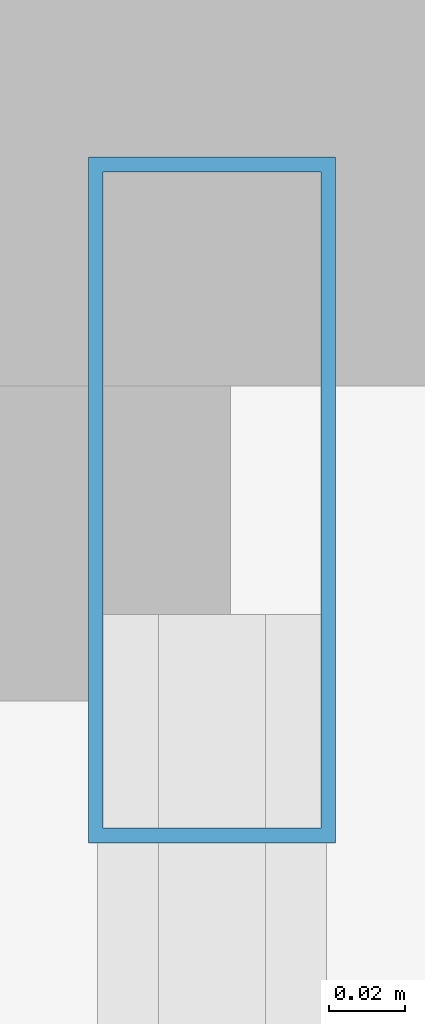
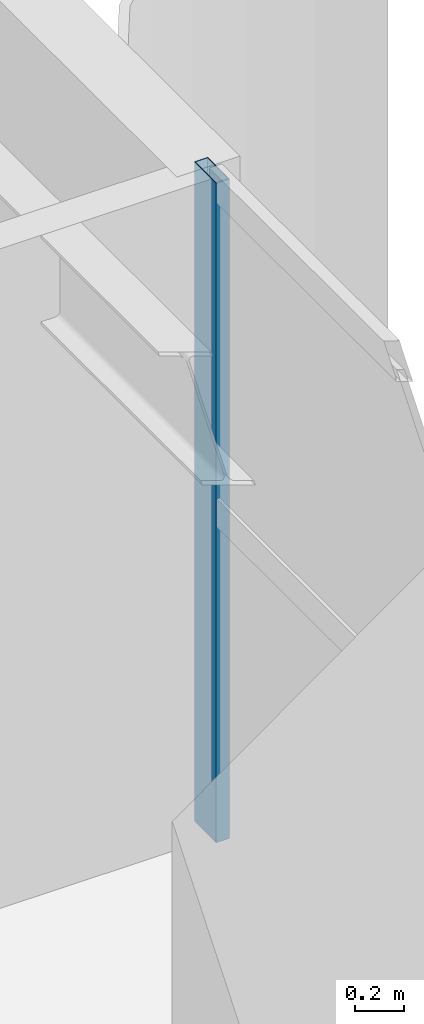
# One storey, part 16 of 25: 1 member, 1 element without a shape of its own.
"""IFC4 building model written with IfcOpenShell, lengths in metres."""

import ifcopenshell
import ifcopenshell.guid

model = None  # the IFC model being written
_history = None  # IfcOwnerHistory: only IFC2X3 demands one
_inside = {}  # id of a spatial element -> (the spatial element, [elements in it])
_under = {}  # id of a project, library or spatial element -> (it, [spatial elements below it])
_declared = {}  # id of a project -> (the project, [libraries it declares])
_typed = {}  # id of a type object -> (the type object, [elements of that type])
_made_of = {}  # id of a material, layer set ... -> (it, [elements and type objects made of it])


def new_model(schema):
    """Start an empty IFC model of exactly this schema.

    Asked for "IFC4X3", IfcOpenShell would pick the latest addendum, in which some entities
    have other attributes; the version numbers below select the first issue.
    IFC2X3 requires an IfcOwnerHistory on every rooted entity: one is made here for all.
    """
    global model, _history
    if schema == "IFC4X3":
        model = ifcopenshell.file(schema_version=(4, 3, 0, 0))
    else:
        model = ifcopenshell.file(schema=schema)
    _inside.clear()
    _under.clear()
    _declared.clear()
    _typed.clear()
    _made_of.clear()
    _history = None
    if model.schema == "IFC2X3":
        org = make("IfcOrganization", Name="unknown")
        user = make(
            "IfcPersonAndOrganization",
            ThePerson=make("IfcPerson", FamilyName="unknown"),
            TheOrganization=org,
        )
        app = make(
            "IfcApplication",
            ApplicationDeveloper=org,
            Version="unknown",
            ApplicationFullName="unknown",
            ApplicationIdentifier="unknown",
        )
        _history = make(
            "IfcOwnerHistory",
            OwningUser=user,
            OwningApplication=app,
            ChangeAction="ADDED",
            CreationDate=0,
        )
    return model


def make(cls, **values):
    """One entity of the class cls with the attributes given. An attribute that is None is left unset."""
    return model.create_entity(
        cls, **{name: value for name, value in values.items() if value is not None}
    )


def rooted(cls, **values):
    """An entity with a GlobalId (a new one), such as an element, a storey or a relation."""
    return make(cls, GlobalId=ifcopenshell.guid.new(), OwnerHistory=_history, **values)


def si_unit(unit_type, name, prefix=None):
    """IfcSIUnit, for example si_unit("LENGTHUNIT", "METRE", prefix="MILLI")."""
    return make("IfcSIUnit", UnitType=unit_type, Prefix=prefix, Name=name)


def assignment(units):
    """IfcUnitAssignment: the units of a project."""
    return None if units is None else make("IfcUnitAssignment", Units=units)


def point(xyz):
    """IfcCartesianPoint."""
    return None if xyz is None else make("IfcCartesianPoint", Coordinates=xyz)


def direction(xyz):
    """IfcDirection."""
    return None if xyz is None else make("IfcDirection", DirectionRatios=xyz)


def frame(location, z_axis=None, x_axis=None):
    """IfcAxis2Placement3D, a coordinate frame: its origin and axes. An axis left out is left unset."""
    return make(
        "IfcAxis2Placement3D",
        Location=point(location),
        Axis=direction(z_axis),
        RefDirection=direction(x_axis),
    )


def frame_2d(location, x_axis=None):
    """IfcAxis2Placement2D, a coordinate frame in the plane: its origin and x axis."""
    return make(
        "IfcAxis2Placement2D", Location=point(location), RefDirection=direction(x_axis)
    )


def origin():
    """The frame at (0, 0, 0) with its axes left unset."""
    return frame((0.0, 0.0, 0.0))


def origin_2d():
    """The frame at (0, 0) in the plane with its x axis left unset."""
    return frame_2d((0.0, 0.0))


def place(relative_to, where):
    """IfcLocalPlacement: puts the frame where relative to a parent placement (None: the world)."""
    return make(
        "IfcLocalPlacement", PlacementRelTo=relative_to, RelativePlacement=where
    )


def context(
    kind, dimensions, precision=None, world=None, true_north=None, identifier=None
):
    """IfcGeometricRepresentationContext, for example the 3D "Model" context."""
    return make(
        "IfcGeometricRepresentationContext",
        ContextIdentifier=identifier,
        ContextType=kind,
        CoordinateSpaceDimension=dimensions,
        Precision=precision,
        WorldCoordinateSystem=world,
        TrueNorth=true_north,
    )


def subcontext(parent, identifier, kind, view, scale=None):
    """IfcGeometricRepresentationSubContext, for example "Body" below "Model"."""
    return make(
        "IfcGeometricRepresentationSubContext",
        ContextIdentifier=identifier,
        ContextType=kind,
        ParentContext=parent,
        TargetScale=scale,
        TargetView=view,
    )


def project(units=None, contexts=None):
    """IfcProject with its units and contexts."""
    return rooted(
        "IfcProject",
        Name="project",
        RepresentationContexts=contexts,
        UnitsInContext=assignment(units),
    )


def spatial(cls, under=None, at=None, **own):
    """A site, building, storey or space (cls), placed at a placement, below another one or the project."""
    s = rooted(cls, ObjectPlacement=at, **own)
    if under is not None:
        _under.setdefault(under.id(), (under, []))[1].append(s)
    return s


def profile(cls, at=None, kind="AREA", **sizes):
    """A parametric profile (cls). Its sizes go by their IFC names, for example OverallWidth=200.0."""
    return make(cls, ProfileType=kind, Position=at, **sizes)


def hollow_rectangle(**sizes):
    """IfcRectangleHollowProfileDef."""
    return profile("IfcRectangleHollowProfileDef", **sizes)


def extrude(swept, where, along, depth):
    """IfcExtrudedAreaSolid: the profile swept, set in the frame where, extruded along a direction by depth."""
    return make(
        "IfcExtrudedAreaSolid",
        SweptArea=swept,
        Position=where,
        ExtrudedDirection=direction(along),
        Depth=depth,
    )


def shape(context_of_items, identifier, shape_type, items):
    """IfcShapeRepresentation: the items that make up one representation, for example the "Body"."""
    return make(
        "IfcShapeRepresentation",
        ContextOfItems=context_of_items,
        RepresentationIdentifier=identifier,
        RepresentationType=shape_type,
        Items=items,
    )


def source(mapping_origin, context_of_items, identifier, shape_type, items):
    """IfcRepresentationMap: a shape defined once, which mapped items show again and again."""
    return make(
        "IfcRepresentationMap",
        MappingOrigin=mapping_origin,
        MappedRepresentation=shape(context_of_items, identifier, shape_type, items),
    )


def transform(
    local_origin,
    x_axis=None,
    y_axis=None,
    z_axis=None,
    scale=None,
    scale2=None,
    scale3=None,
    uniform=True,
):
    """IfcCartesianTransformationOperator3D, or its non-uniform kind. x_axis, y_axis, z_axis: its Axis1, 2, 3."""
    if uniform:
        return make(
            "IfcCartesianTransformationOperator3D",
            Axis1=direction(x_axis),
            Axis2=direction(y_axis),
            LocalOrigin=point(local_origin),
            Scale=scale,
            Axis3=direction(z_axis),
        )
    return make(
        "IfcCartesianTransformationOperator3DnonUniform",
        Axis1=direction(x_axis),
        Axis2=direction(y_axis),
        LocalOrigin=point(local_origin),
        Scale=scale,
        Axis3=direction(z_axis),
        Scale2=scale2,
        Scale3=scale3,
    )


def mapped(mapping_source, mapping_target):
    """IfcMappedItem: shows the shape of a source again, moved by a transform."""
    return make(
        "IfcMappedItem", MappingSource=mapping_source, MappingTarget=mapping_target
    )


def material(Name=None, Category=None):
    """IfcMaterial."""
    return make("IfcMaterial", Name=Name, Category=Category)


def layer(
    of_material, thickness, ventilated=None, Name=None, Category=None, Priority=None
):
    """IfcMaterialLayer: one layer of a wall or slab, of a material (None: an air gap)."""
    return make(
        "IfcMaterialLayer",
        Material=of_material,
        LayerThickness=thickness,
        IsVentilated=ventilated,
        Name=Name,
        Category=Category,
        Priority=Priority,
    )


def layer_set(layers, Name=None):
    """IfcMaterialLayerSet."""
    return make("IfcMaterialLayerSet", MaterialLayers=layers, LayerSetName=Name)


def material_profile(
    of_material, cross_section, Name=None, Category=None, Priority=None
):
    """IfcMaterialProfile: a cross section and its material."""
    return make(
        "IfcMaterialProfile",
        Name=Name,
        Material=of_material,
        Profile=cross_section,
        Priority=Priority,
        Category=Category,
    )


def profile_set(profiles, Name=None, composite=None):
    """IfcMaterialProfileSet."""
    return make(
        "IfcMaterialProfileSet",
        Name=Name,
        MaterialProfiles=profiles,
        CompositeProfile=composite,
    )


def made_of(thing, what):
    """Note that an element or type object is made of a material, layer set ...; save() writes the relation."""
    if what is not None:
        _made_of.setdefault(what.id(), (what, []))[1].append(thing)
    return thing


def type_object(cls, material=None, **own):
    """A type object (cls), such as IfcWallType, which elements share."""
    return made_of(rooted(cls, **own), material)


def element(
    cls,
    number,
    at=None,
    inside=None,
    cuts=None,
    type_object=None,
    material=None,
    context=None,
    identifier="Body",
    shape_type=None,
    held_by="IfcProductDefinitionShape",
    body=None,
    shapes=None,
    **own,
):
    """One element of the class cls, such as IfcWall. Its Tag is "e" and its number.

    at: its placement. inside: the storey or other place that contains it. cuts: it is an
    opening in that element (IfcRelVoidsElement). A single representation is given by context,
    identifier, shape_type and body (its items); several are given by shapes. held_by: the class
    of the entity that holds the representations. save() writes the other relations.
    """
    e = rooted(cls, Tag="e%d" % number, ObjectPlacement=at, **own)
    if body is not None:
        shapes = [shape(context, identifier, shape_type, body)]
    if shapes is not None:
        e.Representation = make(held_by, Representations=shapes)
    if inside is not None:
        _inside.setdefault(inside.id(), (inside, []))[1].append(e)
    if cuts is not None:
        rooted(
            "IfcRelVoidsElement", RelatingBuildingElement=cuts, RelatedOpeningElement=e
        )
    if type_object is not None:
        _typed.setdefault(type_object.id(), (type_object, []))[1].append(e)
    return made_of(e, material)


def aggregate(whole, parts):
    """IfcRelAggregates: a whole, such as a stair, and the parts it consists of."""
    return rooted("IfcRelAggregates", RelatingObject=whole, RelatedObjects=parts)


def save(model, path):
    """Write the relations noted so far, then the file.

    IfcRelAggregates (storeys below a building ...), IfcRelContainedInSpatialStructure (elements
    in a storey), IfcRelDefinesByType, IfcRelAssociatesMaterial and IfcRelDeclares: one each for
    every whole, place, type object, material and project.
    """
    for whole, parts in _under.values():
        aggregate(whole, parts)
    for where, things in _inside.values():
        rooted(
            "IfcRelContainedInSpatialStructure",
            RelatedElements=things,
            RelatingStructure=where,
        )
    for kind, things in _typed.values():
        rooted("IfcRelDefinesByType", RelatedObjects=things, RelatingType=kind)
    for what, things in _made_of.values():
        rooted("IfcRelAssociatesMaterial", RelatedObjects=things, RelatingMaterial=what)
    for by, libraries in _declared.values():
        rooted("IfcRelDeclares", RelatingContext=by, RelatedDefinitions=libraries)
    model.write(path)


model = new_model("IFC4")

# Units and contexts
model_context = context("Model", 3, precision=1e-05, world=origin(), true_north=direction((0.0, 1.0)))
body_context = subcontext(model_context, "Body", "Model", "MODEL_VIEW")
ifc_project = project(units=[si_unit("LENGTHUNIT", "METRE"), si_unit("AREAUNIT", "SQUARE_METRE"), si_unit("VOLUMEUNIT", "CUBIC_METRE"), si_unit("PLANEANGLEUNIT", "RADIAN"), si_unit("MASSUNIT", "GRAM", prefix="KILO")], contexts=[model_context])

# Site, building, storey
site_placement = place(None, origin())
site = spatial("IfcSite", under=ifc_project, at=site_placement, CompositionType="ELEMENT")
building_placement = place(site_placement, origin())
building = spatial("IfcBuilding", under=site, at=building_placement, Name="Khoralis Quay Care Tower", CompositionType="ELEMENT")
storey_placement = place(building_placement, frame((0.0, 0.0, 51.300048828125)))
storey = spatial("IfcBuildingStorey", under=building, at=storey_placement, Name="L13", CompositionType="ELEMENT", Elevation=51.300048828125)

# Curtain wall, member
ifc_material = material(Name="Pale anodised aluminium", Category="aluminium")
ifc_layer = layer(ifc_material, 0.179931640625)
ifc_layer_set = layer_set([ifc_layer], Name="Pale anodised aluminium")
curtain_wall_type = type_object("IfcCurtainWallType", Name="CW-SYS-Z1", PredefinedType="NOTDEFINED", material=ifc_layer_set)
curtain_wall_placement = place(storey_placement, origin())
curtain_wall = element("IfcCurtainWall", 1, at=curtain_wall_placement, inside=storey, type_object=curtain_wall_type, Name="L13 Unitised Curtain Wall CW-L13-P1-E5", PredefinedType="NOTDEFINED")
ifc_material_profile = material_profile(ifc_material, hollow_rectangle(XDim=0.06494140625, YDim=0.179931640625, WallThickness=0.00390625, at=origin_2d()), Name="Pale anodised aluminium")
ifc_profile_set = profile_set([ifc_material_profile], Name="Pale anodised aluminium")
member_type = type_object("IfcMemberType", Name="CW-MUL-180", PredefinedType="MULLION", material=ifc_profile_set)
shared_shape = source(origin(), body_context, "Body", "SweptSolid", [
    extrude(hollow_rectangle(XDim=0.06494140625, YDim=0.179931640625, WallThickness=0.00390625, at=origin_2d()), origin(), (0.0, 0.0, 1.0), 3.320068359375),
])
member_placement = place(storey_placement, frame((47.85009765625, 32.610107421875, 0.0), z_axis=(0.0, 0.0, 1.0), x_axis=(-1.0, 0.0, 0.0)))
member = element("IfcMember", 2, at=member_placement, type_object=member_type, Name="CW1 mullion 6", PredefinedType="MULLION", context=body_context, shape_type="MappedRepresentation", body=[
    mapped(shared_shape, transform((0.0, 0.0, 0.0), scale=1.0)),
])
aggregate(curtain_wall, [member])

save(model, "model.ifc")
